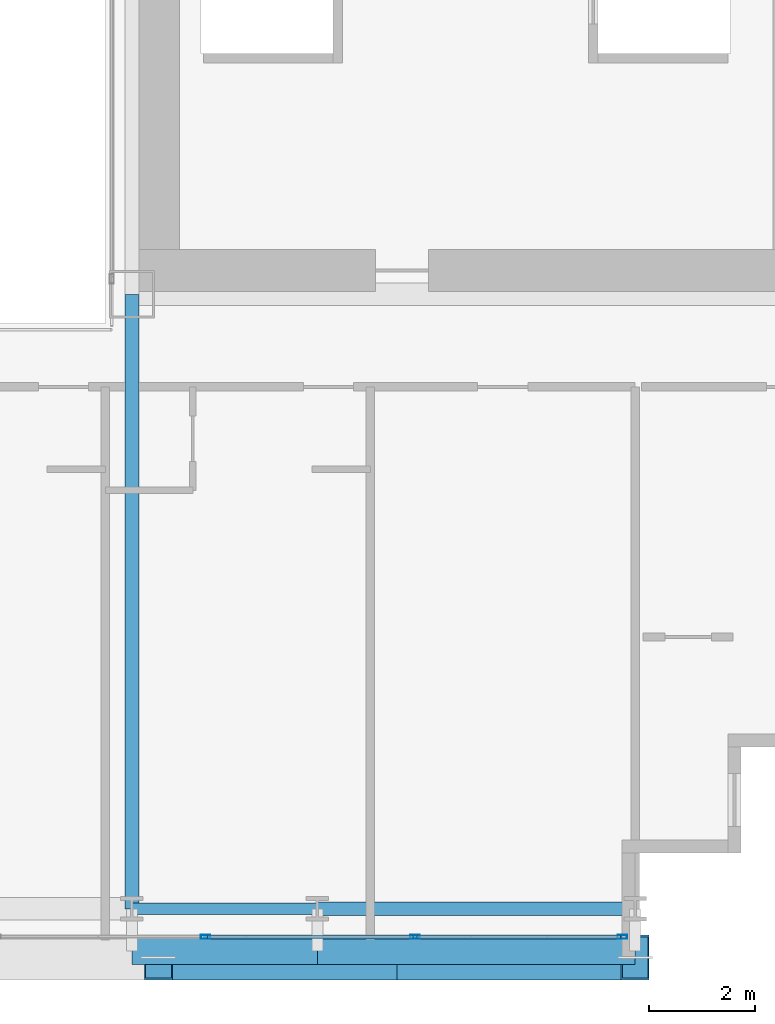
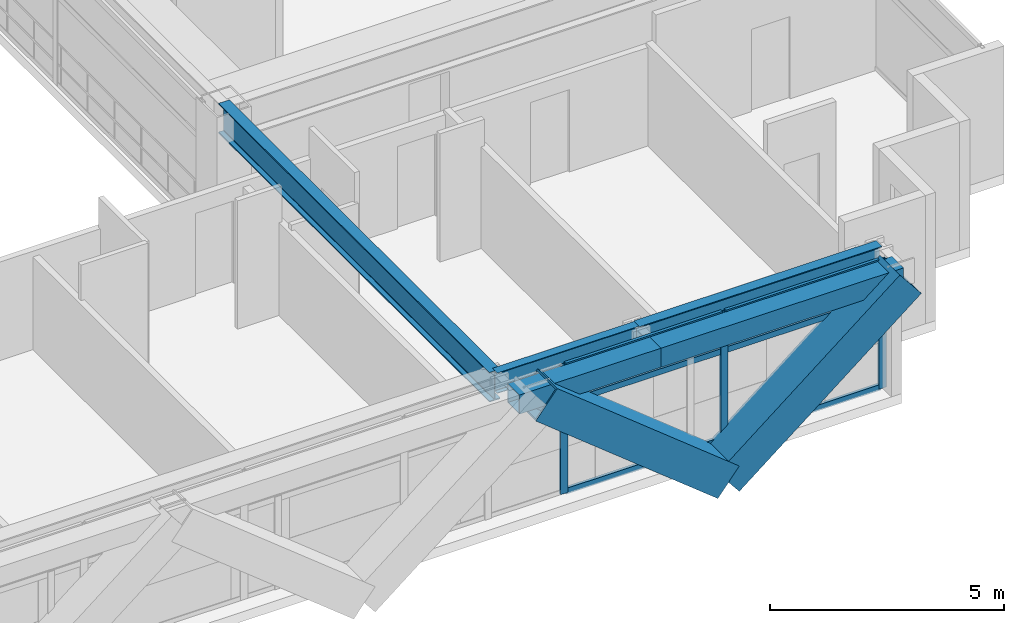
# One storey, part 11 of 41: 11 members, 5 beams, 1 element without a shape of its own.
"""IFC4 building model written with IfcOpenShell, lengths in metres."""

from ifc_helpers import new_model, si_unit, direction, frame, origin, origin_2d, place, context, subcontext, project, spatial, hollow_rectangle, i_section, extrude, source, transform, mapped, material, layer, layer_set, material_profile, profile_set, type_object, element, aggregate, save


model = new_model("IFC4")

# Units and contexts
model_context = context("Model", 3, precision=1e-05, world=origin(), true_north=direction((0.0, 1.0)))
body_context = subcontext(model_context, "Body", "Model", "MODEL_VIEW")
ifc_project = project(units=[si_unit("LENGTHUNIT", "METRE"), si_unit("AREAUNIT", "SQUARE_METRE"), si_unit("VOLUMEUNIT", "CUBIC_METRE"), si_unit("PLANEANGLEUNIT", "RADIAN"), si_unit("MASSUNIT", "GRAM", prefix="KILO")], contexts=[model_context])

# Site, building, storey
site_placement = place(None, origin())
site = spatial("IfcSite", under=ifc_project, at=site_placement, CompositionType="ELEMENT")
building_placement = place(site_placement, origin())
building = spatial("IfcBuilding", under=site, at=building_placement, Name="Ocotamira Hotel", CompositionType="ELEMENT")
storey_placement = place(building_placement, frame((0.0, 0.0, 67.199951171875)))
storey = spatial("IfcBuildingStorey", under=building, at=storey_placement, Name="L16", CompositionType="ELEMENT", Elevation=67.199951171875)

# Beams
ifc_material_1 = material(Name="Steel ASTM A992 Grade 50", Category="steel")
ifc_material_profile_1 = material_profile(ifc_material_1, i_section(OverallWidth=0.256103515625, OverallDepth=0.693115234375, WebThickness=0.014404296875, FlangeThickness=0.023681640625, FilletRadius=0.01611328125, at=origin_2d()), Name="W27X114")
ifc_profile_set_1 = profile_set([ifc_material_profile_1], Name="Steel ASTM A992 Grade 50")
beam_type_1 = type_object("IfcBeamType", Name="BM-PRIM-W27X114", PredefinedType="BEAM", material=ifc_profile_set_1)
shared_shape_1 = source(origin(), body_context, "Body", "SweptSolid", [
    extrude(i_section(OverallWidth=0.256103515625, OverallDepth=0.693115234375, WebThickness=0.014404296875, FlangeThickness=0.023681640625, FilletRadius=0.01611328125, at=origin_2d()), origin(), (0.0, 0.0, 1.0), 6.0),
])
beam_1_placement = place(storey_placement, frame((44.0, 2.949951171875, 3.003662109375), z_axis=(1.0, 0.0, 0.0), x_axis=(0.0, 1.0, 0.0)))
element("IfcBeam", 1, at=beam_1_placement, inside=storey, type_object=beam_type_1, Name="L16 Girder Y2.95 X44-50", PredefinedType="BEAM", context=body_context, shape_type="MappedRepresentation", body=[
    mapped(shared_shape_1, transform((0.0, 0.0, 0.0), scale=1.0)),
])
ifc_material_profile_2 = material_profile(ifc_material_1, i_section(OverallWidth=0.2099609375, OverallDepth=0.537109375, WebThickness=0.010986328125, FlangeThickness=0.017333984375, FilletRadius=0.012939453125, at=origin_2d()), Name="W21X68")
ifc_profile_set_2 = profile_set([ifc_material_profile_2], Name="Steel ASTM A992 Grade 50")
beam_type_2 = type_object("IfcBeamType", Name="BM-SEC-W21X68", PredefinedType="JOIST", material=ifc_profile_set_2)
shared_shape_2 = source(origin(), body_context, "Body", "SweptSolid", [
    extrude(i_section(OverallWidth=0.2099609375, OverallDepth=0.537109375, WebThickness=0.010986328125, FlangeThickness=0.017333984375, FilletRadius=0.012939453125, at=origin_2d()), origin(), (0.0, 0.0, 1.0), 3.5),
])
beam_2_placement = place(storey_placement, frame((40.5, 2.949951171875, 3.08154296875), z_axis=(1.0, 0.0, 0.0), x_axis=(0.0, 1.0, 0.0)))
element("IfcBeam", 2, at=beam_2_placement, inside=storey, type_object=beam_type_2, Name="L16 Girder Y2.95 X40.5-44", PredefinedType="JOIST", context=body_context, shape_type="MappedRepresentation", body=[
    mapped(shared_shape_2, transform((0.0, 0.0, 0.0), scale=1.0)),
])
ifc_material_profile_3 = material_profile(ifc_material_1, i_section(OverallWidth=0.26611328125, OverallDepth=0.779052734375, WebThickness=0.0166015625, FlangeThickness=0.030029296875, FilletRadius=0.01806640625, at=origin_2d()), Name="W30X148")
ifc_profile_set_3 = profile_set([ifc_material_profile_3], Name="Steel ASTM A992 Grade 50")
beam_type_3 = type_object("IfcBeamType", Name="BM-GIRD-W30X148", PredefinedType="BEAM", material=ifc_profile_set_3)
shared_shape_3 = source(origin(), body_context, "Body", "SweptSolid", [
    extrude(i_section(OverallWidth=0.26611328125, OverallDepth=0.779052734375, WebThickness=0.0166015625, FlangeThickness=0.030029296875, FilletRadius=0.01806640625, at=origin_2d()), origin(), (0.0, 0.0, 1.0), 11.60009765625),
])
beam_3_placement = place(storey_placement, frame((40.5, 2.949951171875, 2.96044921875), z_axis=(0.0, 1.0, 0.0), x_axis=(-1.0, 0.0, 0.0)))
element("IfcBeam", 3, at=beam_3_placement, inside=storey, type_object=beam_type_3, Name="L16 Beam X40.5 Y2.95-14.55", PredefinedType="BEAM", context=body_context, shape_type="MappedRepresentation", body=[
    mapped(shared_shape_3, transform((0.0, 0.0, 0.0), scale=1.0)),
])
ifc_material_2 = material(Name="Steel ASTM A500 Grade C", Category="steel")
ifc_material_profile_4 = material_profile(ifc_material_2, hollow_rectangle(XDim=0.5, YDim=0.5, WallThickness=0.02001953125, at=origin_2d()), Name="HSS500X500X20")
ifc_profile_set_4 = profile_set([ifc_material_profile_4], Name="Steel ASTM A500 Grade C")
beam_type_4 = type_object("IfcBeamType", Name="BM-SPAN-HSS500", PredefinedType="USERDEFINED", material=ifc_profile_set_4)
shared_shape_4 = source(origin(), body_context, "Body", "SweptSolid", [
    extrude(hollow_rectangle(XDim=0.5, YDim=0.5, WallThickness=0.02001953125, at=origin_2d()), origin(), (0.0, 0.0, 1.0), 6.0),
])
beam_4_placement = place(storey_placement, frame((44.0, 2.14990234375, 3.10009765625), z_axis=(1.0, 0.0, 0.0), x_axis=(0.0, 1.0, 0.0)))
element("IfcBeam", 4, at=beam_4_placement, inside=storey, type_object=beam_type_4, Name="L16 Edge Spandrel S X44-50", ObjectType="SPANDREL", PredefinedType="USERDEFINED", context=body_context, shape_type="MappedRepresentation", body=[
    mapped(shared_shape_4, transform((0.0, 0.0, 0.0), scale=1.0)),
])
shared_shape_5 = source(origin(), body_context, "Body", "SweptSolid", [
    extrude(hollow_rectangle(XDim=0.5, YDim=0.5, WallThickness=0.02001953125, at=origin_2d()), origin(), (0.0, 0.0, 1.0), 3.5),
])
beam_5_placement = place(storey_placement, frame((40.5, 2.14990234375, 3.10009765625), z_axis=(1.0, 0.0, 0.0), x_axis=(0.0, 1.0, 0.0)))
element("IfcBeam", 5, at=beam_5_placement, inside=storey, type_object=beam_type_4, Name="L16 Edge Spandrel S X40.5-44", ObjectType="SPANDREL", PredefinedType="USERDEFINED", context=body_context, shape_type="MappedRepresentation", body=[
    mapped(shared_shape_5, transform((0.0, 0.0, 0.0), scale=1.0)),
])

# Members
ifc_material_3 = material(Name="Pale-metal coated steel ASTM A913 Grade 65", Category="steel")
ifc_material_profile_5 = material_profile(ifc_material_3, hollow_rectangle(XDim=0.85009765625, YDim=0.85009765625, WallThickness=0.035888671875, at=origin_2d()), Name="BOX850X850X36")
ifc_profile_set_5 = profile_set([ifc_material_profile_5], Name="Pale-metal coated steel ASTM A913 Grade 65")
member_type_1 = type_object("IfcMemberType", Name="MEM-EXO-BOX850", PredefinedType="BRACE", material=ifc_profile_set_5)
shared_shape_6 = source(origin(), body_context, "Body", "SweptSolid", [
    extrude(hollow_rectangle(XDim=0.85009765625, YDim=0.85009765625, WallThickness=0.035888671875, at=origin_2d()), origin(), (0.0, 0.0, 1.0), 5.762939453125),
])
for number, where, z_axis, x_axis, name in (
    (6, (45.5, 2.030029296875, -0.5), (-0.780860543151, 0.0, 0.624705380279), (0.0, -1.0, 0.0), "L16 Exoskeleton Diagrid S3.1"),
    (7, (45.5, 2.030029296875, -0.5), (0.780860543151, 0.0, 0.624705380279), (0.0, 1.0, 0.0), "L16 Exoskeleton Diagrid S3.2"),
):
    element("IfcMember", number, at=place(storey_placement, frame(where, z_axis=z_axis, x_axis=x_axis)), inside=storey, type_object=member_type_1, Name=name, PredefinedType="BRACE", context=body_context, shape_type="MappedRepresentation", body=[
        mapped(shared_shape_6, transform((0.0, 0.0, 0.0), scale=1.0)),
    ])

# Curtain wall, members
ifc_material_4 = material(Name="Anodised pale-metal aluminium and solar glass", Category="aluminium")
ifc_layer = layer(ifc_material_4, 0.179931640625)
ifc_layer_set = layer_set([ifc_layer], Name="Anodised pale-metal aluminium and solar glass")
curtain_wall_type = type_object("IfcCurtainWallType", Name="CW-SYS2-Z1", PredefinedType="NOTDEFINED", material=ifc_layer_set)
curtain_wall_placement = place(storey_placement, origin())
curtain_wall = element("IfcCurtainWall", 8, at=curtain_wall_placement, inside=storey, type_object=curtain_wall_type, Name="L16 Curtain Wall CW-2 CW-L16-S1", PredefinedType="NOTDEFINED")
ifc_material_5 = material(Name="Anodised pale-metal aluminium 6063-T6", Category="aluminium")
ifc_material_profile_6 = material_profile(ifc_material_5, hollow_rectangle(XDim=0.074951171875, YDim=0.14990234375, WallThickness=0.006103515625, at=origin_2d()), Name="HSS150X75X6")
ifc_profile_set_6 = profile_set([ifc_material_profile_6], Name="Anodised pale-metal aluminium 6063-T6")
member_type_2 = type_object("IfcMemberType", Name="CWT-150X75", PredefinedType="USERDEFINED", material=ifc_profile_set_6)
shared_shape_7 = source(origin(), body_context, "Body", "SweptSolid", [
    extrude(hollow_rectangle(XDim=0.074951171875, YDim=0.14990234375, WallThickness=0.006103515625, at=origin_2d()), origin(), (0.0, 0.0, 1.0), 3.83544921875),
])
member_1_placement = place(storey_placement, frame((45.884521484375, 2.419921875, 0.03759765625), z_axis=(1.0, 0.0, 0.0), x_axis=(0.0, 1.0, 0.0)))
member_1 = element("IfcMember", 9, at=member_1_placement, type_object=member_type_2, Name="CW-2 transom 9.1", ObjectType="TRANSOM", PredefinedType="USERDEFINED", context=body_context, shape_type="MappedRepresentation", body=[
    mapped(shared_shape_7, transform((0.0, 0.0, 0.0), scale=1.0)),
])
member_2_placement = place(storey_placement, frame((45.884521484375, 2.419921875, 2.35009765625), z_axis=(1.0, 0.0, 0.0), x_axis=(0.0, 1.0, 0.0)))
member_2 = element("IfcMember", 10, at=member_2_placement, type_object=member_type_2, Name="CW-2 transom 9.2", ObjectType="TRANSOM", PredefinedType="USERDEFINED", context=body_context, shape_type="MappedRepresentation", body=[
    mapped(shared_shape_7, transform((0.0, 0.0, 0.0), scale=1.0)),
])
member_3_placement = place(storey_placement, frame((45.884521484375, 2.419921875, 3.3125), z_axis=(1.0, 0.0, 0.0), x_axis=(0.0, 1.0, 0.0)))
member_3 = element("IfcMember", 11, at=member_3_placement, type_object=member_type_2, Name="CW-2 transom 9.3", ObjectType="TRANSOM", PredefinedType="USERDEFINED", context=body_context, shape_type="MappedRepresentation", body=[
    mapped(shared_shape_7, transform((0.0, 0.0, 0.0), scale=1.0)),
])
shared_shape_8 = source(origin(), body_context, "Body", "SweptSolid", [
    extrude(hollow_rectangle(XDim=0.074951171875, YDim=0.14990234375, WallThickness=0.006103515625, at=origin_2d()), origin(), (0.0, 0.0, 1.0), 3.87548828125),
])
member_4_placement = place(storey_placement, frame((41.928955078125, 2.419921875, 0.03759765625), z_axis=(1.0, 0.0, 0.0), x_axis=(0.0, 1.0, 0.0)))
member_4 = element("IfcMember", 12, at=member_4_placement, type_object=member_type_2, Name="CW-2 transom 8.1", ObjectType="TRANSOM", PredefinedType="USERDEFINED", context=body_context, shape_type="MappedRepresentation", body=[
    mapped(shared_shape_8, transform((0.0, 0.0, 0.0), scale=1.0)),
])
member_5_placement = place(storey_placement, frame((41.928955078125, 2.419921875, 2.35009765625), z_axis=(1.0, 0.0, 0.0), x_axis=(0.0, 1.0, 0.0)))
member_5 = element("IfcMember", 13, at=member_5_placement, type_object=member_type_2, Name="CW-2 transom 8.2", ObjectType="TRANSOM", PredefinedType="USERDEFINED", context=body_context, shape_type="MappedRepresentation", body=[
    mapped(shared_shape_8, transform((0.0, 0.0, 0.0), scale=1.0)),
])
member_6_placement = place(storey_placement, frame((41.928955078125, 2.419921875, 3.3125), z_axis=(1.0, 0.0, 0.0), x_axis=(0.0, 1.0, 0.0)))
member_6 = element("IfcMember", 14, at=member_6_placement, type_object=member_type_2, Name="CW-2 transom 8.3", ObjectType="TRANSOM", PredefinedType="USERDEFINED", context=body_context, shape_type="MappedRepresentation", body=[
    mapped(shared_shape_8, transform((0.0, 0.0, 0.0), scale=1.0)),
])
ifc_material_profile_7 = material_profile(ifc_material_5, hollow_rectangle(XDim=0.080078125, YDim=0.179931640625, WallThickness=0.006103515625, at=origin_2d()), Name="HSS180X80X6")
ifc_profile_set_7 = profile_set([ifc_material_profile_7], Name="Anodised pale-metal aluminium 6063-T6")
member_type_3 = type_object("IfcMemberType", Name="CWM-180X75", PredefinedType="MULLION", material=ifc_profile_set_7)
shared_shape_9 = source(origin(), body_context, "Body", "SweptSolid", [
    extrude(hollow_rectangle(XDim=0.080078125, YDim=0.179931640625, WallThickness=0.006103515625, at=origin_2d()), origin(), (0.0, 0.0, 1.0), 3.35009765625),
])
member_7_placement = place(storey_placement, frame((41.888916015625, 2.419921875, 0.0), z_axis=(0.0, 0.0, 1.0), x_axis=(0.0, 1.0, 0.0)))
member_7 = element("IfcMember", 15, at=member_7_placement, type_object=member_type_3, Name="CW-2 mullion 8", PredefinedType="MULLION", context=body_context, shape_type="MappedRepresentation", body=[
    mapped(shared_shape_9, transform((0.0, 0.0, 0.0), scale=1.0)),
])
member_8_placement = place(storey_placement, frame((45.844482421875, 2.419921875, 0.0), z_axis=(0.0, 0.0, 1.0), x_axis=(0.0, 1.0, 0.0)))
member_8 = element("IfcMember", 16, at=member_8_placement, type_object=member_type_3, Name="CW-2 mullion 9", PredefinedType="MULLION", context=body_context, shape_type="MappedRepresentation", body=[
    mapped(shared_shape_9, transform((0.0, 0.0, 0.0), scale=1.0)),
])
member_9_placement = place(storey_placement, frame((49.760009765625, 2.419921875, 0.0), z_axis=(0.0, 0.0, 1.0), x_axis=(0.0, 1.0, 0.0)))
member_9 = element("IfcMember", 17, at=member_9_placement, type_object=member_type_3, Name="CW-2 mullion 10", PredefinedType="MULLION", context=body_context, shape_type="MappedRepresentation", body=[
    mapped(shared_shape_9, transform((0.0, 0.0, 0.0), scale=1.0)),
])
aggregate(curtain_wall, [member_7, member_8, member_9, member_4, member_5, member_6, member_1, member_2, member_3])

save(model, "model.ifc")
